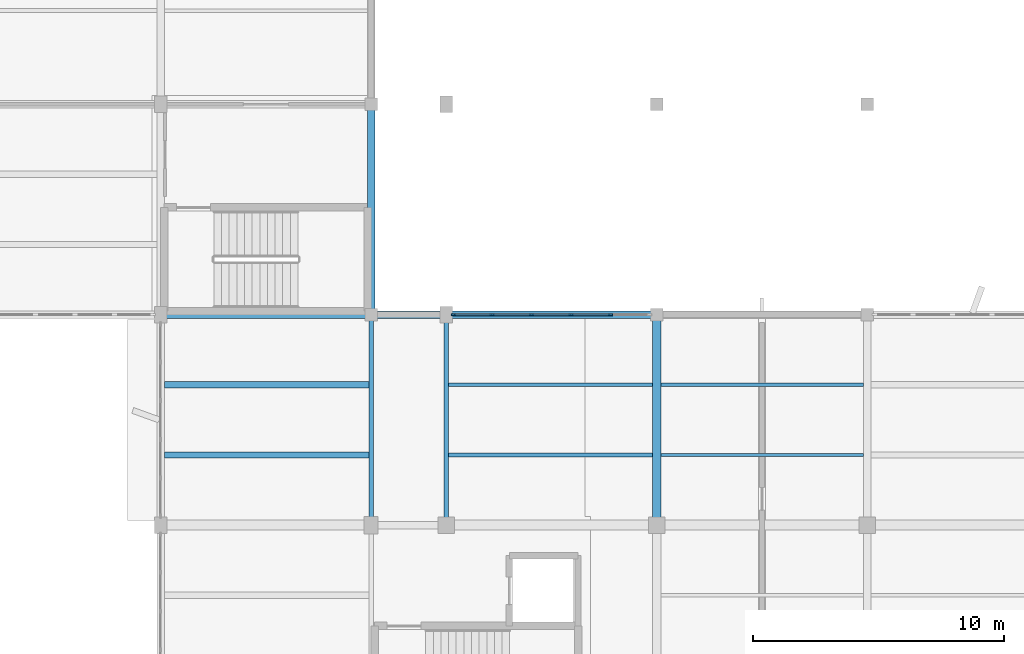
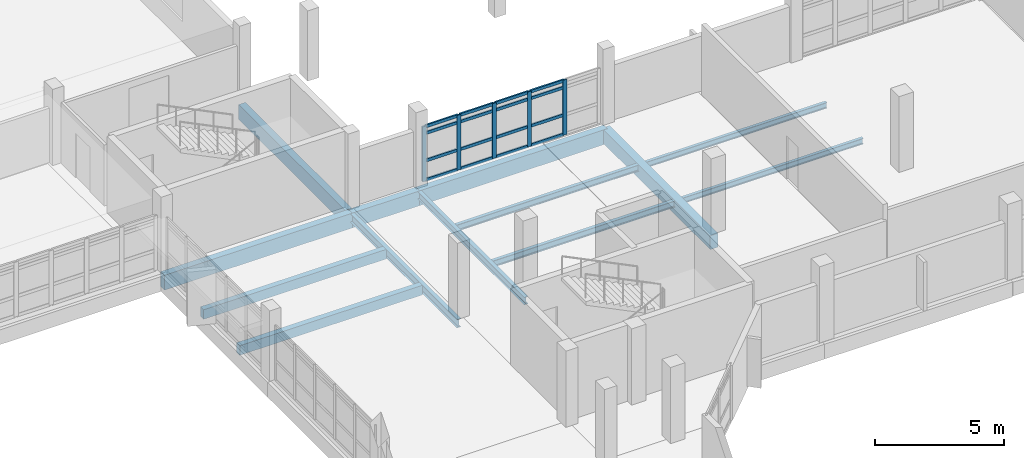
# One storey, part 32 of 104: 21 members, 13 beams, 1 element without a shape of its own.
"""IFC4 building model written with IfcOpenShell, lengths in metres."""

from ifc_helpers import new_model, si_unit, direction, frame, origin, origin_2d, place, context, subcontext, project, spatial, rectangle, i_section, extrude, material, material_profile, profile_set, type_object, element, aggregate, save


model = new_model("IFC4")

# Units and contexts
model_context = context("Model", 3, precision=1e-05, world=origin(), true_north=direction((0.0, 1.0)))
body_context = subcontext(model_context, "Body", "Model", "MODEL_VIEW")
ifc_project = project(units=[si_unit("LENGTHUNIT", "METRE"), si_unit("AREAUNIT", "SQUARE_METRE"), si_unit("VOLUMEUNIT", "CUBIC_METRE"), si_unit("PLANEANGLEUNIT", "RADIAN"), si_unit("MASSUNIT", "GRAM", prefix="KILO")], contexts=[model_context])

# Site, building, storey
site_placement = place(None, origin())
site = spatial("IfcSite", under=ifc_project, at=site_placement, CompositionType="ELEMENT")
building_placement = place(site_placement, origin())
building = spatial("IfcBuilding", under=site, at=building_placement, Name="Vanh Quang Courtyard School", CompositionType="ELEMENT")
storey_placement = place(building_placement, frame((0.0, 0.0, 4.199951171875)))
storey = spatial("IfcBuildingStorey", under=building, at=storey_placement, Name="L01", CompositionType="ELEMENT", Elevation=4.199951171875)

# Beams
ifc_material_1 = material(Name="Concrete C35/45", Category="concrete")
ifc_material_profile_1 = material_profile(ifc_material_1, rectangle(XDim=0.35009765625, YDim=0.64990234375, at=origin_2d()), Name="RC-BM 350x650")
ifc_profile_set_1 = profile_set([ifc_material_profile_1], Name="Concrete C35/45")
beam_type_1 = type_object("IfcBeamType", Name="BM-RC-350x650", PredefinedType="BEAM", material=ifc_profile_set_1)
beam_1_placement = place(storey_placement, frame((49.199951171875, 79.800048828125, -0.60498046875), z_axis=(0.0, 1.0, 0.0), x_axis=(-1.0, 0.0, 0.0)))
element("IfcBeam", 1, at=beam_1_placement, inside=storey, type_object=beam_type_1, Name="Beam B-05 (L01)", PredefinedType="BEAM", context=body_context, shape_type="SweptSolid", body=[
    extrude(rectangle(XDim=0.35009765625, YDim=0.64990234375, at=origin_2d()), origin(), (0.0, 0.0, 1.0), 8.39990234375),
])
ifc_material_profile_2 = material_profile(ifc_material_1, rectangle(XDim=0.300048828125, YDim=0.699951171875, at=origin_2d()), Name="RC-SP 300x700")
ifc_profile_set_2 = profile_set([ifc_material_profile_2], Name="Concrete C35/45")
beam_type_2 = type_object("IfcBeamType", Name="BM-SP-300x700", PredefinedType="SPANDREL", material=ifc_profile_set_2)
beam_2_placement = place(storey_placement, frame((29.39990234375, 88.199951171875, -0.6298828125), z_axis=(1.0, 0.0, 0.0), x_axis=(0.0, 1.0, 0.0)))
element("IfcBeam", 2, at=beam_2_placement, inside=storey, type_object=beam_type_2, Name="Beam BS-01 (L01)", PredefinedType="SPANDREL", context=body_context, shape_type="SweptSolid", body=[
    extrude(rectangle(XDim=0.300048828125, YDim=0.699951171875, at=origin_2d()), origin(), (0.0, 0.0, 1.0), 8.400146484375),
])
beam_3_placement = place(storey_placement, frame((37.800048828125, 88.199951171875, -0.6298828125), z_axis=(1.0, 0.0, 0.0), x_axis=(0.0, 1.0, 0.0)))
element("IfcBeam", 3, at=beam_3_placement, inside=storey, type_object=beam_type_2, Name="Beam BS-01 (L01)", PredefinedType="SPANDREL", context=body_context, shape_type="SweptSolid", body=[
    extrude(rectangle(XDim=0.300048828125, YDim=0.699951171875, at=origin_2d()), origin(), (0.0, 0.0, 1.0), 3.0),
])
beam_4_placement = place(storey_placement, frame((40.800048828125, 88.199951171875, -0.6298828125), z_axis=(1.0, 0.0, 0.0), x_axis=(0.0, 1.0, 0.0)))
element("IfcBeam", 4, at=beam_4_placement, inside=storey, type_object=beam_type_2, Name="Beam BS-01 (L01)", PredefinedType="SPANDREL", context=body_context, shape_type="SweptSolid", body=[
    extrude(rectangle(XDim=0.300048828125, YDim=0.699951171875, at=origin_2d()), origin(), (0.0, 0.0, 1.0), 8.39990234375),
])
beam_5_placement = place(storey_placement, frame((37.800048828125, 88.199951171875, -0.6298828125), z_axis=(0.0, 1.0, 0.0), x_axis=(-1.0, 0.0, 0.0)))
element("IfcBeam", 5, at=beam_5_placement, inside=storey, type_object=beam_type_2, Name="Beam BS-01 (L01)", PredefinedType="SPANDREL", context=body_context, shape_type="SweptSolid", body=[
    extrude(rectangle(XDim=0.300048828125, YDim=0.699951171875, at=origin_2d()), origin(), (0.0, 0.0, 1.0), 8.400146484375),
])
ifc_material_2 = material(Name="Structural steel EN 10025-2 S355J2", Category="steel")
ifc_material_profile_3 = material_profile(ifc_material_2, i_section(OverallWidth=0.169921875, OverallDepth=0.360107421875, WebThickness=0.008056640625, FlangeThickness=0.0126953125, FilletRadius=0.01806640625, at=origin_2d()), Name="IPE 360")
ifc_profile_set_3 = profile_set([ifc_material_profile_3], Name="Structural steel EN 10025-2 S355J2")
beam_type_3 = type_object("IfcBeamType", Name="BM-STL-IPE360", PredefinedType="BEAM", material=ifc_profile_set_3)
beam_6_placement = place(storey_placement, frame((40.800048828125, 79.800048828125, -0.4599609375), z_axis=(0.0, 1.0, 0.0), x_axis=(-1.0, 0.0, 0.0)))
element("IfcBeam", 6, at=beam_6_placement, inside=storey, type_object=beam_type_3, Name="Beam SB-06 (L01)", PredefinedType="BEAM", context=body_context, shape_type="SweptSolid", body=[
    extrude(i_section(OverallWidth=0.169921875, OverallDepth=0.360107421875, WebThickness=0.008056640625, FlangeThickness=0.0126953125, FilletRadius=0.01806640625, at=origin_2d()), origin(), (0.0, 0.0, 1.0), 8.39990234375),
])
ifc_material_profile_4 = material_profile(ifc_material_2, i_section(OverallWidth=0.179931640625, OverallDepth=0.39990234375, WebThickness=0.008544921875, FlangeThickness=0.013427734375, FilletRadius=0.02099609375, at=origin_2d()), Name="IPE 400")
ifc_profile_set_4 = profile_set([ifc_material_profile_4], Name="Structural steel EN 10025-2 S355J2")
beam_type_4 = type_object("IfcBeamType", Name="BM-STL-IPE400", PredefinedType="BEAM", material=ifc_profile_set_4)
beam_7_placement = place(storey_placement, frame((37.800048828125, 79.800048828125, -0.47998046875), z_axis=(0.0, 1.0, 0.0), x_axis=(-1.0, 0.0, 0.0)))
element("IfcBeam", 7, at=beam_7_placement, inside=storey, type_object=beam_type_4, Name="Beam SB-05 (L01)", PredefinedType="BEAM", context=body_context, shape_type="SweptSolid", body=[
    extrude(i_section(OverallWidth=0.179931640625, OverallDepth=0.39990234375, WebThickness=0.008544921875, FlangeThickness=0.013427734375, FilletRadius=0.02099609375, at=origin_2d()), origin(), (0.0, 0.0, 1.0), 8.39990234375),
])

# Curtain wall, members
ifc_material_3 = material(Name="Thermally broken aluminium unitised curtain wall", Category="aluminium")
curtain_wall_type = type_object("IfcCurtainWallType", Name="CW-SYS-19", PredefinedType="NOTDEFINED", material=ifc_material_3)
curtain_wall_placement = place(storey_placement, origin())
curtain_wall = element("IfcCurtainWall", 8, at=curtain_wall_placement, inside=storey, type_object=curtain_wall_type, Name="Curtain Wall CW-19 (L01)", PredefinedType="NOTDEFINED")
ifc_material_4 = material(Name="Anodised aluminium 6063-T6", Category="aluminium")
ifc_material_profile_5 = material_profile(ifc_material_4, rectangle(XDim=0.070068359375, YDim=0.179931640625, at=origin_2d()), Name="ALU-MUL 70x180")
ifc_profile_set_5 = profile_set([ifc_material_profile_5], Name="Anodised aluminium 6063-T6")
member_type_1 = type_object("IfcMemberType", Name="CW-MUL-70x180", PredefinedType="MULLION", material=ifc_profile_set_5)
member_1_placement = place(storey_placement, frame((41.093017578125, 88.199951171875, 0.0), z_axis=(0.0, 0.0, 1.0), x_axis=(0.0, 1.0, 0.0)))
member_1 = element("IfcMember", 9, at=member_1_placement, type_object=member_type_1, Name="CW-19 mullion 1", PredefinedType="MULLION", context=body_context, shape_type="SweptSolid", body=[
    extrude(rectangle(XDim=0.070068359375, YDim=0.179931640625, at=origin_2d()), origin(), (0.0, 0.0, 1.0), 2.60009765625),
])
member_2_placement = place(storey_placement, frame((42.634765625, 88.199951171875, 0.0), z_axis=(0.0, 0.0, 1.0), x_axis=(0.0, 1.0, 0.0)))
member_2 = element("IfcMember", 10, at=member_2_placement, type_object=member_type_1, Name="CW-19 mullion 2", PredefinedType="MULLION", context=body_context, shape_type="SweptSolid", body=[
    extrude(rectangle(XDim=0.070068359375, YDim=0.179931640625, at=origin_2d()), origin(), (0.0, 0.0, 1.0), 2.60009765625),
])
member_3_placement = place(storey_placement, frame((44.211669921875, 88.199951171875, 0.0), z_axis=(0.0, 0.0, 1.0), x_axis=(0.0, 1.0, 0.0)))
member_3 = element("IfcMember", 11, at=member_3_placement, type_object=member_type_1, Name="CW-19 mullion 3", PredefinedType="MULLION", context=body_context, shape_type="SweptSolid", body=[
    extrude(rectangle(XDim=0.070068359375, YDim=0.179931640625, at=origin_2d()), origin(), (0.0, 0.0, 1.0), 2.60009765625),
])
member_4_placement = place(storey_placement, frame((45.788330078125, 88.199951171875, 0.0), z_axis=(0.0, 0.0, 1.0), x_axis=(0.0, 1.0, 0.0)))
member_4 = element("IfcMember", 12, at=member_4_placement, type_object=member_type_1, Name="CW-19 mullion 4", PredefinedType="MULLION", context=body_context, shape_type="SweptSolid", body=[
    extrude(rectangle(XDim=0.070068359375, YDim=0.179931640625, at=origin_2d()), origin(), (0.0, 0.0, 1.0), 2.60009765625),
])
member_5_placement = place(storey_placement, frame((47.365234375, 88.199951171875, 0.0), z_axis=(0.0, 0.0, 1.0), x_axis=(0.0, 1.0, 0.0)))
member_5 = element("IfcMember", 13, at=member_5_placement, type_object=member_type_1, Name="CW-19 mullion 5", PredefinedType="MULLION", context=body_context, shape_type="SweptSolid", body=[
    extrude(rectangle(XDim=0.070068359375, YDim=0.179931640625, at=origin_2d()), origin(), (0.0, 0.0, 1.0), 2.60009765625),
])
ifc_material_profile_6 = material_profile(ifc_material_4, rectangle(XDim=0.070068359375, YDim=0.139892578125, at=origin_2d()), Name="ALU-TRN 70x140")
ifc_profile_set_6 = profile_set([ifc_material_profile_6], Name="Anodised aluminium 6063-T6")
member_type_2 = type_object("IfcMemberType", Name="CW-TRN-70x140", PredefinedType="USERDEFINED", material=ifc_profile_set_6)
member_6_placement = place(storey_placement, frame((41.1279296875, 88.199951171875, 0.03515625), z_axis=(1.0, 0.0, 0.0), x_axis=(0.0, 1.0, 0.0)))
member_6 = element("IfcMember", 14, at=member_6_placement, type_object=member_type_2, Name="CW-19 transom 1.1", ObjectType="TRANSOM", PredefinedType="USERDEFINED", context=body_context, shape_type="SweptSolid", body=[
    extrude(rectangle(XDim=0.070068359375, YDim=0.139892578125, at=origin_2d()), origin(), (0.0, 0.0, 1.0), 1.471923828125),
])
member_7_placement = place(storey_placement, frame((41.1279296875, 88.199951171875, 0.949951171875), z_axis=(1.0, 0.0, 0.0), x_axis=(0.0, 1.0, 0.0)))
member_7 = element("IfcMember", 15, at=member_7_placement, type_object=member_type_2, Name="CW-19 transom 1.2", ObjectType="TRANSOM", PredefinedType="USERDEFINED", context=body_context, shape_type="SweptSolid", body=[
    extrude(rectangle(XDim=0.070068359375, YDim=0.139892578125, at=origin_2d()), origin(), (0.0, 0.0, 1.0), 1.471923828125),
])
member_8_placement = place(storey_placement, frame((41.1279296875, 88.199951171875, 2.25), z_axis=(1.0, 0.0, 0.0), x_axis=(0.0, 1.0, 0.0)))
member_8 = element("IfcMember", 16, at=member_8_placement, type_object=member_type_2, Name="CW-19 transom 1.3", ObjectType="TRANSOM", PredefinedType="USERDEFINED", context=body_context, shape_type="SweptSolid", body=[
    extrude(rectangle(XDim=0.070068359375, YDim=0.139892578125, at=origin_2d()), origin(), (0.0, 0.0, 1.0), 1.471923828125),
])
member_9_placement = place(storey_placement, frame((41.1279296875, 88.199951171875, 2.56494140625), z_axis=(1.0, 0.0, 0.0), x_axis=(0.0, 1.0, 0.0)))
member_9 = element("IfcMember", 17, at=member_9_placement, type_object=member_type_2, Name="CW-19 transom 1.4", ObjectType="TRANSOM", PredefinedType="USERDEFINED", context=body_context, shape_type="SweptSolid", body=[
    extrude(rectangle(XDim=0.070068359375, YDim=0.139892578125, at=origin_2d()), origin(), (0.0, 0.0, 1.0), 1.471923828125),
])
member_10_placement = place(storey_placement, frame((42.669921875, 88.199951171875, 0.03515625), z_axis=(1.0, 0.0, 0.0), x_axis=(0.0, 1.0, 0.0)))
member_10 = element("IfcMember", 18, at=member_10_placement, type_object=member_type_2, Name="CW-19 transom 2.1", ObjectType="TRANSOM", PredefinedType="USERDEFINED", context=body_context, shape_type="SweptSolid", body=[
    extrude(rectangle(XDim=0.070068359375, YDim=0.139892578125, at=origin_2d()), origin(), (0.0, 0.0, 1.0), 1.506591796875),
])
member_11_placement = place(storey_placement, frame((42.669921875, 88.199951171875, 0.949951171875), z_axis=(1.0, 0.0, 0.0), x_axis=(0.0, 1.0, 0.0)))
member_11 = element("IfcMember", 19, at=member_11_placement, type_object=member_type_2, Name="CW-19 transom 2.2", ObjectType="TRANSOM", PredefinedType="USERDEFINED", context=body_context, shape_type="SweptSolid", body=[
    extrude(rectangle(XDim=0.070068359375, YDim=0.139892578125, at=origin_2d()), origin(), (0.0, 0.0, 1.0), 1.506591796875),
])
member_12_placement = place(storey_placement, frame((42.669921875, 88.199951171875, 2.25), z_axis=(1.0, 0.0, 0.0), x_axis=(0.0, 1.0, 0.0)))
member_12 = element("IfcMember", 20, at=member_12_placement, type_object=member_type_2, Name="CW-19 transom 2.3", ObjectType="TRANSOM", PredefinedType="USERDEFINED", context=body_context, shape_type="SweptSolid", body=[
    extrude(rectangle(XDim=0.070068359375, YDim=0.139892578125, at=origin_2d()), origin(), (0.0, 0.0, 1.0), 1.506591796875),
])
member_13_placement = place(storey_placement, frame((42.669921875, 88.199951171875, 2.56494140625), z_axis=(1.0, 0.0, 0.0), x_axis=(0.0, 1.0, 0.0)))
member_13 = element("IfcMember", 21, at=member_13_placement, type_object=member_type_2, Name="CW-19 transom 2.4", ObjectType="TRANSOM", PredefinedType="USERDEFINED", context=body_context, shape_type="SweptSolid", body=[
    extrude(rectangle(XDim=0.070068359375, YDim=0.139892578125, at=origin_2d()), origin(), (0.0, 0.0, 1.0), 1.506591796875),
])
member_14_placement = place(storey_placement, frame((44.24658203125, 88.199951171875, 0.03515625), z_axis=(1.0, 0.0, 0.0), x_axis=(0.0, 1.0, 0.0)))
member_14 = element("IfcMember", 22, at=member_14_placement, type_object=member_type_2, Name="CW-19 transom 3.1", ObjectType="TRANSOM", PredefinedType="USERDEFINED", context=body_context, shape_type="SweptSolid", body=[
    extrude(rectangle(XDim=0.070068359375, YDim=0.139892578125, at=origin_2d()), origin(), (0.0, 0.0, 1.0), 1.5068359375),
])
member_15_placement = place(storey_placement, frame((44.24658203125, 88.199951171875, 0.949951171875), z_axis=(1.0, 0.0, 0.0), x_axis=(0.0, 1.0, 0.0)))
member_15 = element("IfcMember", 23, at=member_15_placement, type_object=member_type_2, Name="CW-19 transom 3.2", ObjectType="TRANSOM", PredefinedType="USERDEFINED", context=body_context, shape_type="SweptSolid", body=[
    extrude(rectangle(XDim=0.070068359375, YDim=0.139892578125, at=origin_2d()), origin(), (0.0, 0.0, 1.0), 1.5068359375),
])
member_16_placement = place(storey_placement, frame((44.24658203125, 88.199951171875, 2.25), z_axis=(1.0, 0.0, 0.0), x_axis=(0.0, 1.0, 0.0)))
member_16 = element("IfcMember", 24, at=member_16_placement, type_object=member_type_2, Name="CW-19 transom 3.3", ObjectType="TRANSOM", PredefinedType="USERDEFINED", context=body_context, shape_type="SweptSolid", body=[
    extrude(rectangle(XDim=0.070068359375, YDim=0.139892578125, at=origin_2d()), origin(), (0.0, 0.0, 1.0), 1.5068359375),
])
member_17_placement = place(storey_placement, frame((44.24658203125, 88.199951171875, 2.56494140625), z_axis=(1.0, 0.0, 0.0), x_axis=(0.0, 1.0, 0.0)))
member_17 = element("IfcMember", 25, at=member_17_placement, type_object=member_type_2, Name="CW-19 transom 3.4", ObjectType="TRANSOM", PredefinedType="USERDEFINED", context=body_context, shape_type="SweptSolid", body=[
    extrude(rectangle(XDim=0.070068359375, YDim=0.139892578125, at=origin_2d()), origin(), (0.0, 0.0, 1.0), 1.5068359375),
])
member_18_placement = place(storey_placement, frame((45.823486328125, 88.199951171875, 0.03515625), z_axis=(1.0, 0.0, 0.0), x_axis=(0.0, 1.0, 0.0)))
member_18 = element("IfcMember", 26, at=member_18_placement, type_object=member_type_2, Name="CW-19 transom 4.1", ObjectType="TRANSOM", PredefinedType="USERDEFINED", context=body_context, shape_type="SweptSolid", body=[
    extrude(rectangle(XDim=0.070068359375, YDim=0.139892578125, at=origin_2d()), origin(), (0.0, 0.0, 1.0), 1.506591796875),
])
member_19_placement = place(storey_placement, frame((45.823486328125, 88.199951171875, 0.949951171875), z_axis=(1.0, 0.0, 0.0), x_axis=(0.0, 1.0, 0.0)))
member_19 = element("IfcMember", 27, at=member_19_placement, type_object=member_type_2, Name="CW-19 transom 4.2", ObjectType="TRANSOM", PredefinedType="USERDEFINED", context=body_context, shape_type="SweptSolid", body=[
    extrude(rectangle(XDim=0.070068359375, YDim=0.139892578125, at=origin_2d()), origin(), (0.0, 0.0, 1.0), 1.506591796875),
])
member_20_placement = place(storey_placement, frame((45.823486328125, 88.199951171875, 2.25), z_axis=(1.0, 0.0, 0.0), x_axis=(0.0, 1.0, 0.0)))
member_20 = element("IfcMember", 28, at=member_20_placement, type_object=member_type_2, Name="CW-19 transom 4.3", ObjectType="TRANSOM", PredefinedType="USERDEFINED", context=body_context, shape_type="SweptSolid", body=[
    extrude(rectangle(XDim=0.070068359375, YDim=0.139892578125, at=origin_2d()), origin(), (0.0, 0.0, 1.0), 1.506591796875),
])
member_21_placement = place(storey_placement, frame((45.823486328125, 88.199951171875, 2.56494140625), z_axis=(1.0, 0.0, 0.0), x_axis=(0.0, 1.0, 0.0)))
member_21 = element("IfcMember", 29, at=member_21_placement, type_object=member_type_2, Name="CW-19 transom 4.4", ObjectType="TRANSOM", PredefinedType="USERDEFINED", context=body_context, shape_type="SweptSolid", body=[
    extrude(rectangle(XDim=0.070068359375, YDim=0.139892578125, at=origin_2d()), origin(), (0.0, 0.0, 1.0), 1.506591796875),
])
aggregate(curtain_wall, [member_1, member_2, member_3, member_4, member_5, member_6, member_7, member_8, member_9, member_10, member_11, member_12, member_13, member_14, member_15, member_16, member_17, member_18, member_19, member_20, member_21])

# Beams
ifc_material_5 = material(Name="Concrete C30/37", Category="concrete")
ifc_material_profile_7 = material_profile(ifc_material_5, rectangle(XDim=0.25, YDim=0.449951171875, at=origin_2d()), Name="RC-JST 250x450")
ifc_profile_set_7 = profile_set([ifc_material_profile_7], Name="Concrete C30/37")
beam_type_5 = type_object("IfcBeamType", Name="JST-RC-250x450", PredefinedType="JOIST", material=ifc_profile_set_7)
for number, where, z_axis, x_axis, name in (
    (30, (29.550048828125, 82.60009765625, -0.5048828125), (1.0, 0.0, 0.0), (0.0, 1.0, 0.0), "Beam BJ-02 (L01)"),
    (31, (29.550048828125, 85.39990234375, -0.5048828125), (1.0, 0.0, 0.0), (0.0, 1.0, 0.0), "Beam BJ-02 (L01)"),
):
    element("IfcBeam", number, at=place(storey_placement, frame(where, z_axis=z_axis, x_axis=x_axis)), inside=storey, type_object=beam_type_5, Name=name, PredefinedType="JOIST", context=body_context, shape_type="SweptSolid", body=[
        extrude(rectangle(XDim=0.25, YDim=0.449951171875, at=origin_2d()), origin(), (0.0, 0.0, 1.0), 8.159912109375),
    ])
ifc_material_profile_8 = material_profile(ifc_material_2, i_section(OverallWidth=0.135009765625, OverallDepth=0.27001953125, WebThickness=0.006591796875, FlangeThickness=0.01025390625, FilletRadius=0.014892578125, at=origin_2d()), Name="IPE 270")
ifc_profile_set_8 = profile_set([ifc_material_profile_8], Name="Structural steel EN 10025-2 S355J2")
beam_type_6 = type_object("IfcBeamType", Name="JST-STL-IPE270", PredefinedType="JOIST", material=ifc_profile_set_8)
for number, where, z_axis, x_axis, name in (
    (32, (49.375, 82.60009765625, -0.4150390625), (1.0, 0.0, 0.0), (0.0, 1.0, 0.0), "Beam SJ-03 (L01)"),
    (33, (49.375, 85.39990234375, -0.4150390625), (1.0, 0.0, 0.0), (0.0, 1.0, 0.0), "Beam SJ-03 (L01)"),
):
    element("IfcBeam", number, at=place(storey_placement, frame(where, z_axis=z_axis, x_axis=x_axis)), inside=storey, type_object=beam_type_6, Name=name, PredefinedType="JOIST", context=body_context, shape_type="SweptSolid", body=[
        extrude(i_section(OverallWidth=0.135009765625, OverallDepth=0.27001953125, WebThickness=0.006591796875, FlangeThickness=0.01025390625, FilletRadius=0.014892578125, at=origin_2d()), origin(), (0.0, 0.0, 1.0), 8.074951171875),
    ])
ifc_material_profile_9 = material_profile(ifc_material_2, i_section(OverallWidth=0.14990234375, OverallDepth=0.300048828125, WebThickness=0.007080078125, FlangeThickness=0.0107421875, FilletRadius=0.014892578125, at=origin_2d()), Name="IPE 300")
ifc_profile_set_9 = profile_set([ifc_material_profile_9], Name="Structural steel EN 10025-2 S355J2")
beam_type_7 = type_object("IfcBeamType", Name="JST-STL-IPE300", PredefinedType="JOIST", material=ifc_profile_set_9)
for number, where, z_axis, x_axis, name in (
    (34, (40.885009765625, 82.60009765625, -0.429931640625), (1.0, 0.0, 0.0), (0.0, 1.0, 0.0), "Beam SJ-02 (L01)"),
    (35, (40.885009765625, 85.39990234375, -0.429931640625), (1.0, 0.0, 0.0), (0.0, 1.0, 0.0), "Beam SJ-02 (L01)"),
):
    element("IfcBeam", number, at=place(storey_placement, frame(where, z_axis=z_axis, x_axis=x_axis)), inside=storey, type_object=beam_type_7, Name=name, PredefinedType="JOIST", context=body_context, shape_type="SweptSolid", body=[
        extrude(i_section(OverallWidth=0.14990234375, OverallDepth=0.300048828125, WebThickness=0.007080078125, FlangeThickness=0.0107421875, FilletRadius=0.014892578125, at=origin_2d()), origin(), (0.0, 0.0, 1.0), 8.139892578125),
    ])

save(model, "model.ifc")
